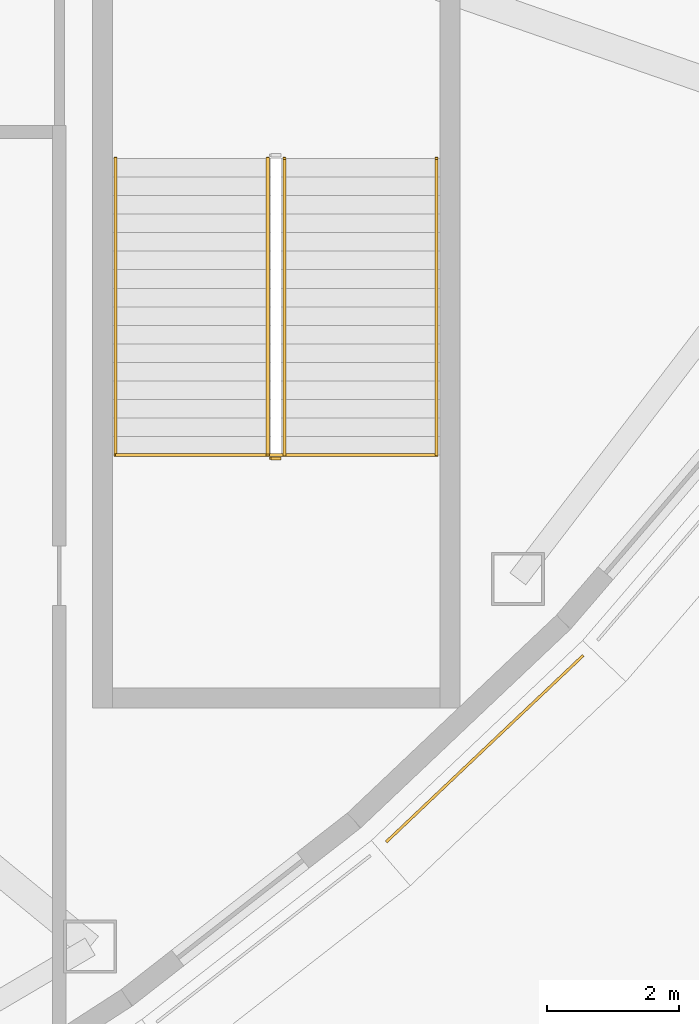
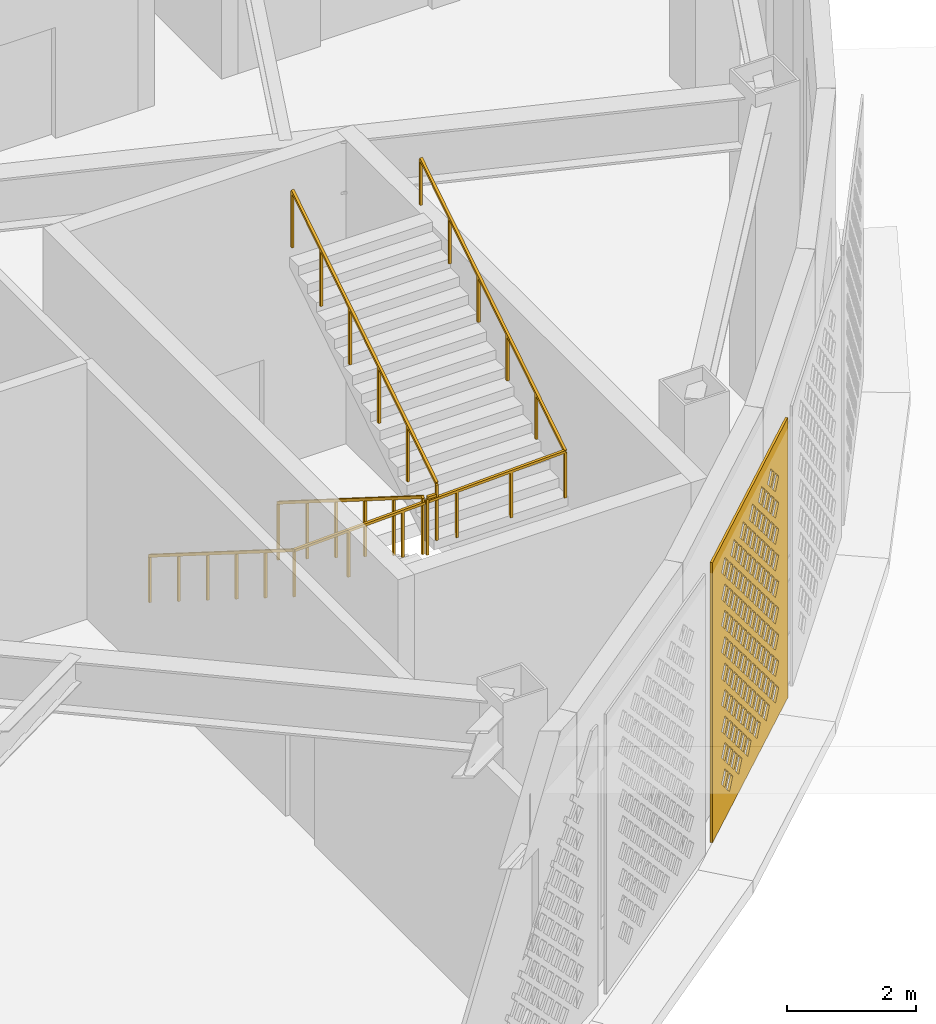
# One storey, part 69 of 74: 4 railings, 1 covering.
"""IFC4 building model written with IfcOpenShell, lengths in metres."""

from ifc_helpers import new_model, si_unit, direction, frame, origin, origin_2d, place, context, subcontext, project, spatial, polyline, rectangle, outline, extrude, material, layer, layer_set, type_object, element, save


model = new_model("IFC4")

# Units and contexts
model_context = context("Model", 3, precision=1e-05, world=origin(), true_north=direction((0.0, 1.0)))
body_context = subcontext(model_context, "Body", "Model", "MODEL_VIEW")
ifc_project = project(units=[si_unit("LENGTHUNIT", "METRE"), si_unit("AREAUNIT", "SQUARE_METRE"), si_unit("VOLUMEUNIT", "CUBIC_METRE"), si_unit("PLANEANGLEUNIT", "RADIAN"), si_unit("MASSUNIT", "GRAM", prefix="KILO")], contexts=[model_context])

# Site, building, storey
site_placement = place(None, origin())
site = spatial("IfcSite", under=ifc_project, at=site_placement, CompositionType="ELEMENT")
building_placement = place(site_placement, origin())
building = spatial("IfcBuilding", under=site, at=building_placement, Name="Noorbagh Ring Tower", CompositionType="ELEMENT")
storey_placement = place(building_placement, frame((0.0, 0.0, 7.5)))
storey = spatial("IfcBuildingStorey", under=building, at=storey_placement, Name="L01", CompositionType="ELEMENT", Elevation=7.5)

# Railings
ifc_material_1 = material(Name="Stainless steel", Category="steel")
railing_type_1 = type_object("IfcRailingType", Name="GND-STAIR-GUARD", PredefinedType="GUARDRAIL", material=ifc_material_1)
railing_1_placement = place(storey_placement, frame((37.14990234375, -16.39990234375, 0.176513671875)))
element("IfcRailing", 1, at=railing_1_placement, inside=storey, type_object=railing_type_1, Name="L01 ST-P6 stair guard", PredefinedType="GUARDRAIL", context=body_context, shape_type="SweptSolid", body=[
    extrude(rectangle(XDim=0.048095703125, YDim=0.048095703125, at=origin_2d()), frame((0.0, 0.0, 1.076171875), z_axis=(0.0, -0.845997938375, 0.533186166611), x_axis=(1.0, 0.0, 0.0)), (0.0, 0.0, 1.0), 5.29541015625),
    extrude(rectangle(XDim=0.0419921875, YDim=0.0419921875, at=origin_2d()), origin(), (0.0, 0.0, 1.0), 1.052001953125),
    extrude(rectangle(XDim=0.0419921875, YDim=0.0419921875, at=origin_2d()), frame((0.0, -0.89599609375, 0.564697265625)), (0.0, 0.0, 1.0), 1.052001953125),
    extrude(rectangle(XDim=0.0419921875, YDim=0.0419921875, at=origin_2d()), frame((0.0, -1.7919921875, 1.12939453125)), (0.0, 0.0, 1.0), 1.052001953125),
    extrude(rectangle(XDim=0.0419921875, YDim=0.0419921875, at=origin_2d()), frame((0.0, -2.68798828125, 1.694091796875)), (0.0, 0.0, 1.0), 1.052001953125),
    extrude(rectangle(XDim=0.0419921875, YDim=0.0419921875, at=origin_2d()), frame((0.0, -3.583984375, 2.2587890625)), (0.0, 0.0, 1.0), 1.052001953125),
    extrude(rectangle(XDim=0.0419921875, YDim=0.0419921875, at=origin_2d()), frame((0.0, -4.47998046875, 2.823486328125)), (0.0, 0.0, 1.0), 1.052001953125),
])
railing_2_placement = place(storey_placement, frame((37.199951171875, -20.929931640625, 3.0)))
element("IfcRailing", 2, at=railing_2_placement, inside=storey, type_object=railing_type_1, Name="L01 ST-P6 stair guard", PredefinedType="GUARDRAIL", context=body_context, shape_type="SweptSolid", body=[
    extrude(rectangle(XDim=0.048095703125, YDim=0.048095703125, at=origin_2d()), frame((0.0, 0.0, 1.076171875), z_axis=(1.0, 0.0, 0.0), x_axis=(0.0, 1.0, 0.0)), (0.0, 0.0, 1.0), 0.150146484375),
    extrude(rectangle(XDim=0.0419921875, YDim=0.0419921875, at=origin_2d()), origin(), (0.0, 0.0, 1.0), 1.052001953125),
])
railing_3_placement = place(storey_placement, frame((37.39990234375, -20.8798828125, 3.176513671875)))
element("IfcRailing", 3, at=railing_3_placement, inside=storey, type_object=railing_type_1, Name="L01 ST-P6 stair guard", PredefinedType="GUARDRAIL", context=body_context, shape_type="SweptSolid", body=[
    extrude(rectangle(XDim=0.048095703125, YDim=0.048095703125, at=origin_2d()), frame((0.0, 0.0, 1.076171875), z_axis=(0.0, 0.845997938375, 0.533186166611), x_axis=(-1.0, 0.0, 0.0)), (0.0, 0.0, 1.0), 5.29541015625),
    extrude(rectangle(XDim=0.0419921875, YDim=0.0419921875, at=origin_2d()), origin(), (0.0, 0.0, 1.0), 1.052001953125),
    extrude(rectangle(XDim=0.0419921875, YDim=0.0419921875, at=origin_2d()), frame((0.0, 0.89599609375, 0.564697265625)), (0.0, 0.0, 1.0), 1.052001953125),
    extrude(rectangle(XDim=0.0419921875, YDim=0.0419921875, at=origin_2d()), frame((0.0, 1.7919921875, 1.12939453125)), (0.0, 0.0, 1.0), 1.052001953125),
    extrude(rectangle(XDim=0.0419921875, YDim=0.0419921875, at=origin_2d()), frame((0.0, 2.68798828125, 1.694091796875)), (0.0, 0.0, 1.0), 1.052001953125),
    extrude(rectangle(XDim=0.0419921875, YDim=0.0419921875, at=origin_2d()), frame((0.0, 3.583984375, 2.2587890625)), (0.0, 0.0, 1.0), 1.052001953125),
    extrude(rectangle(XDim=0.0419921875, YDim=0.0419921875, at=origin_2d()), frame((0.0, 4.47998046875, 2.823486328125)), (0.0, 0.0, 1.0), 1.052001953125),
])
ifc_material_2 = material(Name="Stainless steel", Category="steel")
railing_type_2 = type_object("IfcRailingType", Name="GND-STAIR-HANDRAIL", PredefinedType="HANDRAIL", material=ifc_material_2)
railing_4_placement = place(storey_placement, frame((34.85009765625, -16.39990234375, 0.176513671875)))
element("IfcRailing", 4, at=railing_4_placement, inside=storey, type_object=railing_type_2, Name="L01 ST-P6 stair handrail", PredefinedType="HANDRAIL", context=body_context, shape_type="SweptSolid", body=[
    extrude(rectangle(XDim=0.048095703125, YDim=0.048095703125, at=origin_2d()), frame((0.0, 0.0, 0.8759765625), z_axis=(0.0, -0.845997938375, 0.533186166611), x_axis=(1.0, 0.0, 0.0)), (0.0, 0.0, 1.0), 5.29541015625),
    extrude(rectangle(XDim=0.048095703125, YDim=0.048095703125, at=origin_2d()), frame((0.0, -4.47998046875, 3.69921875), z_axis=(0.999338334855, 0.0, 0.036371589031), x_axis=(0.0, 1.0, 0.0)), (0.0, 0.0, 1.0), 4.85302734375),
    extrude(rectangle(XDim=0.048095703125, YDim=0.048095703125, at=origin_2d()), frame((4.849853515625, -4.47998046875, 3.8759765625), z_axis=(0.0, 0.845997938375, 0.533186166611), x_axis=(-1.0, 0.0, 0.0)), (0.0, 0.0, 1.0), 5.29541015625),
    extrude(rectangle(XDim=0.0419921875, YDim=0.0419921875, at=origin_2d()), origin(), (0.0, 0.0, 1.0), 0.851806640625),
    extrude(rectangle(XDim=0.0419921875, YDim=0.0419921875, at=origin_2d()), frame((0.0, -0.89599609375, 0.564697265625)), (0.0, 0.0, 1.0), 0.851806640625),
    extrude(rectangle(XDim=0.0419921875, YDim=0.0419921875, at=origin_2d()), frame((0.0, -1.7919921875, 1.12939453125)), (0.0, 0.0, 1.0), 0.851806640625),
    extrude(rectangle(XDim=0.0419921875, YDim=0.0419921875, at=origin_2d()), frame((0.0, -2.68798828125, 1.694091796875)), (0.0, 0.0, 1.0), 0.851806640625),
    extrude(rectangle(XDim=0.0419921875, YDim=0.0419921875, at=origin_2d()), frame((0.0, -3.583984375, 2.2587890625)), (0.0, 0.0, 1.0), 0.851806640625),
    extrude(rectangle(XDim=0.0419921875, YDim=0.0419921875, at=origin_2d()), frame((0.0, -4.47998046875, 2.823486328125)), (0.0, 0.0, 1.0), 0.851806640625),
    extrude(rectangle(XDim=0.0419921875, YDim=0.0419921875, at=origin_2d()), frame((0.969970703125, -4.47998046875, 2.85888671875)), (0.0, 0.0, 1.0), 0.851806640625),
    extrude(rectangle(XDim=0.0419921875, YDim=0.0419921875, at=origin_2d()), frame((1.93994140625, -4.47998046875, 2.89404296875)), (0.0, 0.0, 1.0), 0.851806640625),
    extrude(rectangle(XDim=0.0419921875, YDim=0.0419921875, at=origin_2d()), frame((2.909912109375, -4.47998046875, 2.929443359375)), (0.0, 0.0, 1.0), 0.851806640625),
    extrude(rectangle(XDim=0.0419921875, YDim=0.0419921875, at=origin_2d()), frame((3.8798828125, -4.47998046875, 2.964599609375)), (0.0, 0.0, 1.0), 0.851806640625),
    extrude(rectangle(XDim=0.0419921875, YDim=0.0419921875, at=origin_2d()), frame((4.849853515625, -4.47998046875, 3.0)), (0.0, 0.0, 1.0), 0.851806640625),
    extrude(rectangle(XDim=0.0419921875, YDim=0.0419921875, at=origin_2d()), frame((4.849853515625, -3.583984375, 3.564697265625)), (0.0, 0.0, 1.0), 0.851806640625),
    extrude(rectangle(XDim=0.0419921875, YDim=0.0419921875, at=origin_2d()), frame((4.849853515625, -2.68798828125, 4.12939453125)), (0.0, 0.0, 1.0), 0.851806640625),
    extrude(rectangle(XDim=0.0419921875, YDim=0.0419921875, at=origin_2d()), frame((4.849853515625, -1.7919921875, 4.694091796875)), (0.0, 0.0, 1.0), 0.851806640625),
    extrude(rectangle(XDim=0.0419921875, YDim=0.0419921875, at=origin_2d()), frame((4.849853515625, -0.89599609375, 5.2587890625)), (0.0, 0.0, 1.0), 0.851806640625),
    extrude(rectangle(XDim=0.0419921875, YDim=0.0419921875, at=origin_2d()), frame((4.849853515625, 0.0, 5.823486328125)), (0.0, 0.0, 1.0), 0.851806640625),
])

# Covering
ifc_material_3 = material(Name="Red sandstone jali", Category="masonry")
ifc_layer = layer(ifc_material_3, 0.0400390625)
ifc_layer_set = layer_set([ifc_layer], Name="Red sandstone jali")
covering_type = type_object("IfcCoveringType", Name="STY-JALI", PredefinedType="USERDEFINED", material=ifc_layer_set)
covering_placement = place(storey_placement, frame((38.953857421875, -26.739501953125, 0.449951171875), z_axis=(0.687531349275, -0.726154696855, 0.0), x_axis=(0.726154696855, 0.687531349275, 0.0)))
element("IfcCovering", 5, at=covering_placement, inside=storey, type_object=covering_type, Name="Jali screen", ObjectType="SCREEN", PredefinedType="USERDEFINED", context=body_context, shape_type="SweptSolid", body=[
    extrude(outline(polyline([(0.0, 0.0), (4.095947265625, 0.0), (4.095947265625, 5.300048828125), (0.0, 5.300048828125), (0.0, 0.0)]), holes=[polyline([(0.742919921875, 0.52490234375), (0.923095703125, 0.344970703125), (1.10302734375, 0.52490234375), (0.923095703125, 0.705078125), (0.742919921875, 0.52490234375)]), polyline([(1.242919921875, 0.52490234375), (1.423095703125, 0.344970703125), (1.60302734375, 0.52490234375), (1.423095703125, 0.705078125), (1.242919921875, 0.52490234375)]), polyline([(1.742919921875, 0.52490234375), (1.923095703125, 0.344970703125), (2.10302734375, 0.52490234375), (1.923095703125, 0.705078125), (1.742919921875, 0.52490234375)]), polyline([(2.242919921875, 0.52490234375), (2.423095703125, 0.344970703125), (2.60302734375, 0.52490234375), (2.423095703125, 0.705078125), (2.242919921875, 0.52490234375)]), polyline([(2.742919921875, 0.52490234375), (2.923095703125, 0.344970703125), (3.10302734375, 0.52490234375), (2.923095703125, 0.705078125), (2.742919921875, 0.52490234375)]), polyline([(3.242919921875, 0.52490234375), (3.423095703125, 0.344970703125), (3.60302734375, 0.52490234375), (3.423095703125, 0.705078125), (3.242919921875, 0.52490234375)]), polyline([(0.492919921875, 0.77490234375), (0.673095703125, 0.594970703125), (0.85302734375, 0.77490234375), (0.673095703125, 0.955078125), (0.492919921875, 0.77490234375)]), polyline([(0.992919921875, 0.77490234375), (1.173095703125, 0.594970703125), (1.35302734375, 0.77490234375), (1.173095703125, 0.955078125), (0.992919921875, 0.77490234375)]), polyline([(1.492919921875, 0.77490234375), (1.673095703125, 0.594970703125), (1.85302734375, 0.77490234375), (1.673095703125, 0.955078125), (1.492919921875, 0.77490234375)]), polyline([(1.992919921875, 0.77490234375), (2.173095703125, 0.594970703125), (2.35302734375, 0.77490234375), (2.173095703125, 0.955078125), (1.992919921875, 0.77490234375)]), polyline([(2.492919921875, 0.77490234375), (2.673095703125, 0.594970703125), (2.85302734375, 0.77490234375), (2.673095703125, 0.955078125), (2.492919921875, 0.77490234375)]), polyline([(2.992919921875, 0.77490234375), (3.173095703125, 0.594970703125), (3.35302734375, 0.77490234375), (3.173095703125, 0.955078125), (2.992919921875, 0.77490234375)]), polyline([(0.742919921875, 1.02490234375), (0.923095703125, 0.844970703125), (1.10302734375, 1.02490234375), (0.923095703125, 1.205078125), (0.742919921875, 1.02490234375)]), polyline([(1.242919921875, 1.02490234375), (1.423095703125, 0.844970703125), (1.60302734375, 1.02490234375), (1.423095703125, 1.205078125), (1.242919921875, 1.02490234375)]), polyline([(1.742919921875, 1.02490234375), (1.923095703125, 0.844970703125), (2.10302734375, 1.02490234375), (1.923095703125, 1.205078125), (1.742919921875, 1.02490234375)]), polyline([(2.242919921875, 1.02490234375), (2.423095703125, 0.844970703125), (2.60302734375, 1.02490234375), (2.423095703125, 1.205078125), (2.242919921875, 1.02490234375)]), polyline([(2.742919921875, 1.02490234375), (2.923095703125, 0.844970703125), (3.10302734375, 1.02490234375), (2.923095703125, 1.205078125), (2.742919921875, 1.02490234375)]), polyline([(3.242919921875, 1.02490234375), (3.423095703125, 0.844970703125), (3.60302734375, 1.02490234375), (3.423095703125, 1.205078125), (3.242919921875, 1.02490234375)]), polyline([(0.492919921875, 1.27490234375), (0.673095703125, 1.094970703125), (0.85302734375, 1.27490234375), (0.673095703125, 1.455078125), (0.492919921875, 1.27490234375)]), polyline([(0.992919921875, 1.27490234375), (1.173095703125, 1.094970703125), (1.35302734375, 1.27490234375), (1.173095703125, 1.455078125), (0.992919921875, 1.27490234375)]), polyline([(1.492919921875, 1.27490234375), (1.673095703125, 1.094970703125), (1.85302734375, 1.27490234375), (1.673095703125, 1.455078125), (1.492919921875, 1.27490234375)]), polyline([(1.992919921875, 1.27490234375), (2.173095703125, 1.094970703125), (2.35302734375, 1.27490234375), (2.173095703125, 1.455078125), (1.992919921875, 1.27490234375)]), polyline([(2.492919921875, 1.27490234375), (2.673095703125, 1.094970703125), (2.85302734375, 1.27490234375), (2.673095703125, 1.455078125), (2.492919921875, 1.27490234375)]), polyline([(2.992919921875, 1.27490234375), (3.173095703125, 1.094970703125), (3.35302734375, 1.27490234375), (3.173095703125, 1.455078125), (2.992919921875, 1.27490234375)]), polyline([(0.742919921875, 1.52490234375), (0.923095703125, 1.344970703125), (1.10302734375, 1.52490234375), (0.923095703125, 1.705078125), (0.742919921875, 1.52490234375)]), polyline([(1.242919921875, 1.52490234375), (1.423095703125, 1.344970703125), (1.60302734375, 1.52490234375), (1.423095703125, 1.705078125), (1.242919921875, 1.52490234375)]), polyline([(1.742919921875, 1.52490234375), (1.923095703125, 1.344970703125), (2.10302734375, 1.52490234375), (1.923095703125, 1.705078125), (1.742919921875, 1.52490234375)]), polyline([(2.242919921875, 1.52490234375), (2.423095703125, 1.344970703125), (2.60302734375, 1.52490234375), (2.423095703125, 1.705078125), (2.242919921875, 1.52490234375)]), polyline([(2.742919921875, 1.52490234375), (2.923095703125, 1.344970703125), (3.10302734375, 1.52490234375), (2.923095703125, 1.705078125), (2.742919921875, 1.52490234375)]), polyline([(3.242919921875, 1.52490234375), (3.423095703125, 1.344970703125), (3.60302734375, 1.52490234375), (3.423095703125, 1.705078125), (3.242919921875, 1.52490234375)]), polyline([(0.492919921875, 1.77490234375), (0.673095703125, 1.594970703125), (0.85302734375, 1.77490234375), (0.673095703125, 1.955078125), (0.492919921875, 1.77490234375)]), polyline([(0.992919921875, 1.77490234375), (1.173095703125, 1.594970703125), (1.35302734375, 1.77490234375), (1.173095703125, 1.955078125), (0.992919921875, 1.77490234375)]), polyline([(1.492919921875, 1.77490234375), (1.673095703125, 1.594970703125), (1.85302734375, 1.77490234375), (1.673095703125, 1.955078125), (1.492919921875, 1.77490234375)]), polyline([(1.992919921875, 1.77490234375), (2.173095703125, 1.594970703125), (2.35302734375, 1.77490234375), (2.173095703125, 1.955078125), (1.992919921875, 1.77490234375)]), polyline([(2.492919921875, 1.77490234375), (2.673095703125, 1.594970703125), (2.85302734375, 1.77490234375), (2.673095703125, 1.955078125), (2.492919921875, 1.77490234375)]), polyline([(2.992919921875, 1.77490234375), (3.173095703125, 1.594970703125), (3.35302734375, 1.77490234375), (3.173095703125, 1.955078125), (2.992919921875, 1.77490234375)]), polyline([(0.742919921875, 2.02490234375), (0.923095703125, 1.844970703125), (1.10302734375, 2.02490234375), (0.923095703125, 2.205078125), (0.742919921875, 2.02490234375)]), polyline([(1.242919921875, 2.02490234375), (1.423095703125, 1.844970703125), (1.60302734375, 2.02490234375), (1.423095703125, 2.205078125), (1.242919921875, 2.02490234375)]), polyline([(1.742919921875, 2.02490234375), (1.923095703125, 1.844970703125), (2.10302734375, 2.02490234375), (1.923095703125, 2.205078125), (1.742919921875, 2.02490234375)]), polyline([(2.242919921875, 2.02490234375), (2.423095703125, 1.844970703125), (2.60302734375, 2.02490234375), (2.423095703125, 2.205078125), (2.242919921875, 2.02490234375)]), polyline([(2.742919921875, 2.02490234375), (2.923095703125, 1.844970703125), (3.10302734375, 2.02490234375), (2.923095703125, 2.205078125), (2.742919921875, 2.02490234375)]), polyline([(3.242919921875, 2.02490234375), (3.423095703125, 1.844970703125), (3.60302734375, 2.02490234375), (3.423095703125, 2.205078125), (3.242919921875, 2.02490234375)]), polyline([(0.492919921875, 2.27490234375), (0.673095703125, 2.094970703125), (0.85302734375, 2.27490234375), (0.673095703125, 2.455078125), (0.492919921875, 2.27490234375)]), polyline([(0.992919921875, 2.27490234375), (1.173095703125, 2.094970703125), (1.35302734375, 2.27490234375), (1.173095703125, 2.455078125), (0.992919921875, 2.27490234375)]), polyline([(1.492919921875, 2.27490234375), (1.673095703125, 2.094970703125), (1.85302734375, 2.27490234375), (1.673095703125, 2.455078125), (1.492919921875, 2.27490234375)]), polyline([(1.992919921875, 2.27490234375), (2.173095703125, 2.094970703125), (2.35302734375, 2.27490234375), (2.173095703125, 2.455078125), (1.992919921875, 2.27490234375)]), polyline([(2.492919921875, 2.27490234375), (2.673095703125, 2.094970703125), (2.85302734375, 2.27490234375), (2.673095703125, 2.455078125), (2.492919921875, 2.27490234375)]), polyline([(2.992919921875, 2.27490234375), (3.173095703125, 2.094970703125), (3.35302734375, 2.27490234375), (3.173095703125, 2.455078125), (2.992919921875, 2.27490234375)]), polyline([(0.742919921875, 2.52490234375), (0.923095703125, 2.344970703125), (1.10302734375, 2.52490234375), (0.923095703125, 2.705078125), (0.742919921875, 2.52490234375)]), polyline([(1.242919921875, 2.52490234375), (1.423095703125, 2.344970703125), (1.60302734375, 2.52490234375), (1.423095703125, 2.705078125), (1.242919921875, 2.52490234375)]), polyline([(1.742919921875, 2.52490234375), (1.923095703125, 2.344970703125), (2.10302734375, 2.52490234375), (1.923095703125, 2.705078125), (1.742919921875, 2.52490234375)]), polyline([(2.242919921875, 2.52490234375), (2.423095703125, 2.344970703125), (2.60302734375, 2.52490234375), (2.423095703125, 2.705078125), (2.242919921875, 2.52490234375)]), polyline([(2.742919921875, 2.52490234375), (2.923095703125, 2.344970703125), (3.10302734375, 2.52490234375), (2.923095703125, 2.705078125), (2.742919921875, 2.52490234375)]), polyline([(3.242919921875, 2.52490234375), (3.423095703125, 2.344970703125), (3.60302734375, 2.52490234375), (3.423095703125, 2.705078125), (3.242919921875, 2.52490234375)]), polyline([(0.492919921875, 2.77490234375), (0.673095703125, 2.594970703125), (0.85302734375, 2.77490234375), (0.673095703125, 2.955078125), (0.492919921875, 2.77490234375)]), polyline([(0.992919921875, 2.77490234375), (1.173095703125, 2.594970703125), (1.35302734375, 2.77490234375), (1.173095703125, 2.955078125), (0.992919921875, 2.77490234375)]), polyline([(1.492919921875, 2.77490234375), (1.673095703125, 2.594970703125), (1.85302734375, 2.77490234375), (1.673095703125, 2.955078125), (1.492919921875, 2.77490234375)]), polyline([(1.992919921875, 2.77490234375), (2.173095703125, 2.594970703125), (2.35302734375, 2.77490234375), (2.173095703125, 2.955078125), (1.992919921875, 2.77490234375)]), polyline([(2.492919921875, 2.77490234375), (2.673095703125, 2.594970703125), (2.85302734375, 2.77490234375), (2.673095703125, 2.955078125), (2.492919921875, 2.77490234375)]), polyline([(2.992919921875, 2.77490234375), (3.173095703125, 2.594970703125), (3.35302734375, 2.77490234375), (3.173095703125, 2.955078125), (2.992919921875, 2.77490234375)]), polyline([(0.742919921875, 3.02490234375), (0.923095703125, 2.844970703125), (1.10302734375, 3.02490234375), (0.923095703125, 3.205078125), (0.742919921875, 3.02490234375)]), polyline([(1.242919921875, 3.02490234375), (1.423095703125, 2.844970703125), (1.60302734375, 3.02490234375), (1.423095703125, 3.205078125), (1.242919921875, 3.02490234375)]), polyline([(1.742919921875, 3.02490234375), (1.923095703125, 2.844970703125), (2.10302734375, 3.02490234375), (1.923095703125, 3.205078125), (1.742919921875, 3.02490234375)]), polyline([(2.242919921875, 3.02490234375), (2.423095703125, 2.844970703125), (2.60302734375, 3.02490234375), (2.423095703125, 3.205078125), (2.242919921875, 3.02490234375)]), polyline([(2.742919921875, 3.02490234375), (2.923095703125, 2.844970703125), (3.10302734375, 3.02490234375), (2.923095703125, 3.205078125), (2.742919921875, 3.02490234375)]), polyline([(3.242919921875, 3.02490234375), (3.423095703125, 2.844970703125), (3.60302734375, 3.02490234375), (3.423095703125, 3.205078125), (3.242919921875, 3.02490234375)]), polyline([(0.492919921875, 3.27490234375), (0.673095703125, 3.094970703125), (0.85302734375, 3.27490234375), (0.673095703125, 3.455078125), (0.492919921875, 3.27490234375)]), polyline([(0.992919921875, 3.27490234375), (1.173095703125, 3.094970703125), (1.35302734375, 3.27490234375), (1.173095703125, 3.455078125), (0.992919921875, 3.27490234375)]), polyline([(1.492919921875, 3.27490234375), (1.673095703125, 3.094970703125), (1.85302734375, 3.27490234375), (1.673095703125, 3.455078125), (1.492919921875, 3.27490234375)]), polyline([(1.992919921875, 3.27490234375), (2.173095703125, 3.094970703125), (2.35302734375, 3.27490234375), (2.173095703125, 3.455078125), (1.992919921875, 3.27490234375)]), polyline([(2.492919921875, 3.27490234375), (2.673095703125, 3.094970703125), (2.85302734375, 3.27490234375), (2.673095703125, 3.455078125), (2.492919921875, 3.27490234375)]), polyline([(2.992919921875, 3.27490234375), (3.173095703125, 3.094970703125), (3.35302734375, 3.27490234375), (3.173095703125, 3.455078125), (2.992919921875, 3.27490234375)]), polyline([(0.742919921875, 3.52490234375), (0.923095703125, 3.344970703125), (1.10302734375, 3.52490234375), (0.923095703125, 3.705078125), (0.742919921875, 3.52490234375)]), polyline([(1.242919921875, 3.52490234375), (1.423095703125, 3.344970703125), (1.60302734375, 3.52490234375), (1.423095703125, 3.705078125), (1.242919921875, 3.52490234375)]), polyline([(1.742919921875, 3.52490234375), (1.923095703125, 3.344970703125), (2.10302734375, 3.52490234375), (1.923095703125, 3.705078125), (1.742919921875, 3.52490234375)]), polyline([(2.242919921875, 3.52490234375), (2.423095703125, 3.344970703125), (2.60302734375, 3.52490234375), (2.423095703125, 3.705078125), (2.242919921875, 3.52490234375)]), polyline([(2.742919921875, 3.52490234375), (2.923095703125, 3.344970703125), (3.10302734375, 3.52490234375), (2.923095703125, 3.705078125), (2.742919921875, 3.52490234375)]), polyline([(3.242919921875, 3.52490234375), (3.423095703125, 3.344970703125), (3.60302734375, 3.52490234375), (3.423095703125, 3.705078125), (3.242919921875, 3.52490234375)]), polyline([(0.492919921875, 3.77490234375), (0.673095703125, 3.594970703125), (0.85302734375, 3.77490234375), (0.673095703125, 3.955078125), (0.492919921875, 3.77490234375)]), polyline([(0.992919921875, 3.77490234375), (1.173095703125, 3.594970703125), (1.35302734375, 3.77490234375), (1.173095703125, 3.955078125), (0.992919921875, 3.77490234375)]), polyline([(1.492919921875, 3.77490234375), (1.673095703125, 3.594970703125), (1.85302734375, 3.77490234375), (1.673095703125, 3.955078125), (1.492919921875, 3.77490234375)]), polyline([(1.992919921875, 3.77490234375), (2.173095703125, 3.594970703125), (2.35302734375, 3.77490234375), (2.173095703125, 3.955078125), (1.992919921875, 3.77490234375)]), polyline([(2.492919921875, 3.77490234375), (2.673095703125, 3.594970703125), (2.85302734375, 3.77490234375), (2.673095703125, 3.955078125), (2.492919921875, 3.77490234375)]), polyline([(2.992919921875, 3.77490234375), (3.173095703125, 3.594970703125), (3.35302734375, 3.77490234375), (3.173095703125, 3.955078125), (2.992919921875, 3.77490234375)]), polyline([(0.742919921875, 4.02490234375), (0.923095703125, 3.844970703125), (1.10302734375, 4.02490234375), (0.923095703125, 4.205078125), (0.742919921875, 4.02490234375)]), polyline([(1.242919921875, 4.02490234375), (1.423095703125, 3.844970703125), (1.60302734375, 4.02490234375), (1.423095703125, 4.205078125), (1.242919921875, 4.02490234375)]), polyline([(1.742919921875, 4.02490234375), (1.923095703125, 3.844970703125), (2.10302734375, 4.02490234375), (1.923095703125, 4.205078125), (1.742919921875, 4.02490234375)]), polyline([(2.242919921875, 4.02490234375), (2.423095703125, 3.844970703125), (2.60302734375, 4.02490234375), (2.423095703125, 4.205078125), (2.242919921875, 4.02490234375)]), polyline([(2.742919921875, 4.02490234375), (2.923095703125, 3.844970703125), (3.10302734375, 4.02490234375), (2.923095703125, 4.205078125), (2.742919921875, 4.02490234375)]), polyline([(3.242919921875, 4.02490234375), (3.423095703125, 3.844970703125), (3.60302734375, 4.02490234375), (3.423095703125, 4.205078125), (3.242919921875, 4.02490234375)]), polyline([(0.492919921875, 4.27490234375), (0.673095703125, 4.094970703125), (0.85302734375, 4.27490234375), (0.673095703125, 4.455078125), (0.492919921875, 4.27490234375)]), polyline([(0.992919921875, 4.27490234375), (1.173095703125, 4.094970703125), (1.35302734375, 4.27490234375), (1.173095703125, 4.455078125), (0.992919921875, 4.27490234375)]), polyline([(1.492919921875, 4.27490234375), (1.673095703125, 4.094970703125), (1.85302734375, 4.27490234375), (1.673095703125, 4.455078125), (1.492919921875, 4.27490234375)]), polyline([(1.992919921875, 4.27490234375), (2.173095703125, 4.094970703125), (2.35302734375, 4.27490234375), (2.173095703125, 4.455078125), (1.992919921875, 4.27490234375)]), polyline([(2.492919921875, 4.27490234375), (2.673095703125, 4.094970703125), (2.85302734375, 4.27490234375), (2.673095703125, 4.455078125), (2.492919921875, 4.27490234375)]), polyline([(2.992919921875, 4.27490234375), (3.173095703125, 4.094970703125), (3.35302734375, 4.27490234375), (3.173095703125, 4.455078125), (2.992919921875, 4.27490234375)]), polyline([(0.742919921875, 4.52490234375), (0.923095703125, 4.344970703125), (1.10302734375, 4.52490234375), (0.923095703125, 4.705078125), (0.742919921875, 4.52490234375)]), polyline([(1.242919921875, 4.52490234375), (1.423095703125, 4.344970703125), (1.60302734375, 4.52490234375), (1.423095703125, 4.705078125), (1.242919921875, 4.52490234375)]), polyline([(1.742919921875, 4.52490234375), (1.923095703125, 4.344970703125), (2.10302734375, 4.52490234375), (1.923095703125, 4.705078125), (1.742919921875, 4.52490234375)]), polyline([(2.242919921875, 4.52490234375), (2.423095703125, 4.344970703125), (2.60302734375, 4.52490234375), (2.423095703125, 4.705078125), (2.242919921875, 4.52490234375)]), polyline([(2.742919921875, 4.52490234375), (2.923095703125, 4.344970703125), (3.10302734375, 4.52490234375), (2.923095703125, 4.705078125), (2.742919921875, 4.52490234375)]), polyline([(3.242919921875, 4.52490234375), (3.423095703125, 4.344970703125), (3.60302734375, 4.52490234375), (3.423095703125, 4.705078125), (3.242919921875, 4.52490234375)]), polyline([(0.492919921875, 4.77490234375), (0.673095703125, 4.594970703125), (0.85302734375, 4.77490234375), (0.673095703125, 4.955078125), (0.492919921875, 4.77490234375)]), polyline([(0.992919921875, 4.77490234375), (1.173095703125, 4.594970703125), (1.35302734375, 4.77490234375), (1.173095703125, 4.955078125), (0.992919921875, 4.77490234375)]), polyline([(1.492919921875, 4.77490234375), (1.673095703125, 4.594970703125), (1.85302734375, 4.77490234375), (1.673095703125, 4.955078125), (1.492919921875, 4.77490234375)]), polyline([(1.992919921875, 4.77490234375), (2.173095703125, 4.594970703125), (2.35302734375, 4.77490234375), (2.173095703125, 4.955078125), (1.992919921875, 4.77490234375)]), polyline([(2.492919921875, 4.77490234375), (2.673095703125, 4.594970703125), (2.85302734375, 4.77490234375), (2.673095703125, 4.955078125), (2.492919921875, 4.77490234375)]), polyline([(2.992919921875, 4.77490234375), (3.173095703125, 4.594970703125), (3.35302734375, 4.77490234375), (3.173095703125, 4.955078125), (2.992919921875, 4.77490234375)])]), origin(), (0.0, 0.0, -1.0), 0.0400390625),
])

save(model, "model.ifc")
